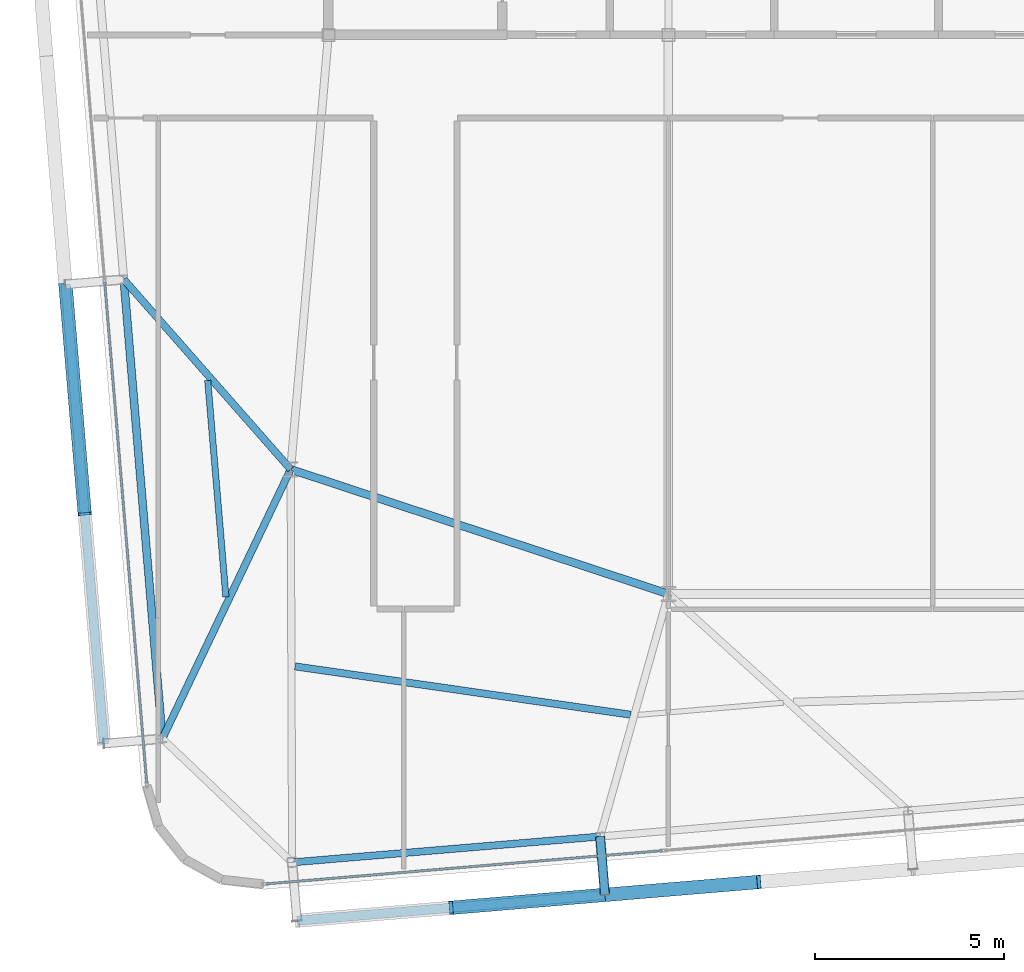
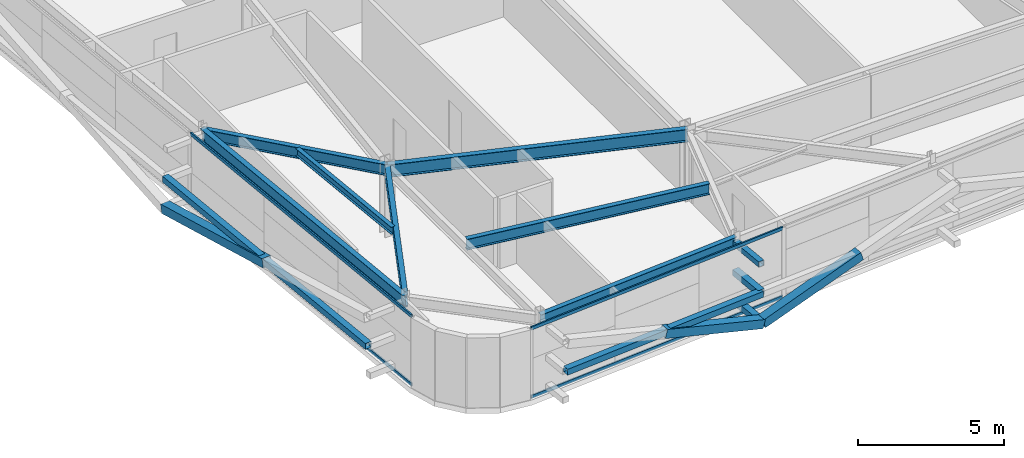
# One storey, part 8 of 39: 12 members, 7 beams, 2 elements without a shape of their own.
"""IFC4 building model written with IfcOpenShell, lengths in metres."""

from ifc_helpers import new_model, si_unit, direction, frame, origin, origin_2d, place, context, subcontext, project, spatial, hollow_rectangle, i_section, extrude, source, transform, mapped, material, layer, layer_set, material_profile, profile_set, type_object, element, aggregate, save


model = new_model("IFC4")

# Units and contexts
model_context = context("Model", 3, precision=1e-05, world=origin(), true_north=direction((0.0, 1.0)))
body_context = subcontext(model_context, "Body", "Model", "MODEL_VIEW")
ifc_project = project(units=[si_unit("LENGTHUNIT", "METRE"), si_unit("AREAUNIT", "SQUARE_METRE"), si_unit("VOLUMEUNIT", "CUBIC_METRE"), si_unit("PLANEANGLEUNIT", "RADIAN"), si_unit("MASSUNIT", "GRAM", prefix="KILO")], contexts=[model_context])

# Site, building, storey
site_placement = place(None, origin())
site = spatial("IfcSite", under=ifc_project, at=site_placement, CompositionType="ELEMENT")
building_placement = place(site_placement, origin())
building = spatial("IfcBuilding", under=site, at=building_placement, Name="Taldren Reach Tower", CompositionType="ELEMENT")
storey_placement = place(building_placement, frame((0.0, 0.0, 175.699951171875)))
storey = spatial("IfcBuildingStorey", under=building, at=storey_placement, Name="L53", CompositionType="ELEMENT", Elevation=175.699951171875)

# Beam
ifc_material_1 = material(Name="Steel Gr 350 (350PLUS)", Category="steel")
ifc_material_profile_1 = material_profile(ifc_material_1, i_section(OverallWidth=0.208984375, OverallDepth=0.532958984375, WebThickness=0.01025390625, FlangeThickness=0.015625, at=origin_2d()), Name="530UB92.4")
ifc_profile_set_1 = profile_set([ifc_material_profile_1], Name="Steel Gr 350 (350PLUS)")
beam_type_1 = type_object("IfcBeamType", Name="BM-UB530A", PredefinedType="BEAM", material=ifc_profile_set_1)
shared_shape_1 = source(origin(), body_context, "Body", "SweptSolid", [
    extrude(i_section(OverallWidth=0.208984375, OverallDepth=0.532958984375, WebThickness=0.01025390625, FlangeThickness=0.015625, at=origin_2d()), origin(), (0.0, 0.0, 1.0), 10.530517578125),
])
beam_1_placement = place(storey_placement, frame((18.0, 12.5, 2.66357421875), z_axis=(0.949627269203, -0.313381635689, 0.0), x_axis=(0.313381635689, 0.949627269203, 0.0)))
element("IfcBeam", 1, at=beam_1_placement, inside=storey, type_object=beam_type_1, Name="Core-spine girder L53-SP10", PredefinedType="BEAM", context=body_context, shape_type="MappedRepresentation", body=[
    mapped(shared_shape_1, transform((0.0, 0.0, 0.0), scale=1.0)),
])

# Members
ifc_material_2 = material(Name="Steel Gr 350 (C350L0)", Category="steel")
ifc_material_profile_2 = material_profile(ifc_material_2, hollow_rectangle(XDim=0.25, YDim=0.25, WallThickness=0.010009765625, at=origin_2d()), Name="250x250x10.0SHS")
ifc_profile_set_2 = profile_set([ifc_material_profile_2], Name="Steel Gr 350 (C350L0)")
member_type_1 = type_object("IfcMemberType", Name="MB-POST250", PredefinedType="POST", material=ifc_profile_set_2)
shared_shape_2 = source(origin(), body_context, "Body", "SweptSolid", [
    extrude(hollow_rectangle(XDim=0.25, YDim=0.25, WallThickness=0.010009765625, at=origin_2d()), origin(), (0.0, 0.0, 1.0), 1.550048828125),
])
for number, where, z_axis, x_axis, name in (
    (2, (26.19091796875, 2.778564453125, 0.219970703125), (0.083632013783, -0.996496706603, 0.0), (0.996496706603, 0.083632013783, 0.0), "Exoskeleton base diaphragm tie strut B4-S2 L53"),
    (3, (26.19091796875, 2.778564453125, 1.43505859375), (0.083632013783, -0.996496706603, 0.0), (0.996496706603, 0.083632013783, 0.0), "Exoskeleton mid-tier diaphragm tie B4-S2 L53"),
):
    element("IfcMember", number, at=place(storey_placement, frame(where, z_axis=z_axis, x_axis=x_axis)), inside=storey, type_object=member_type_1, Name=name, PredefinedType="POST", context=body_context, shape_type="MappedRepresentation", body=[
        mapped(shared_shape_2, transform((0.0, 0.0, 0.0), scale=1.0)),
    ])

# Beams
ifc_material_profile_3 = material_profile(ifc_material_1, i_section(OverallWidth=0.18994140625, OverallDepth=0.4541015625, WebThickness=0.008544921875, FlangeThickness=0.0126953125, at=origin_2d()), Name="460UB67.1")
ifc_profile_set_3 = profile_set([ifc_material_profile_3], Name="Steel Gr 350 (350PLUS)")
beam_type_2 = type_object("IfcBeamType", Name="SP-UB460B", PredefinedType="SPANDREL", material=ifc_profile_set_3)
shared_shape_3 = source(origin(), body_context, "Body", "SweptSolid", [
    extrude(i_section(OverallWidth=0.18994140625, OverallDepth=0.4541015625, WebThickness=0.008544921875, FlangeThickness=0.0126953125, at=origin_2d()), origin(), (0.0, 0.0, 1.0), 8.18017578125),
])
beam_2_placement = place(storey_placement, frame((18.03955078125, 2.093994140625, 2.703125), z_axis=(0.996492034688, 0.083687662192, 0.0), x_axis=(-0.083687662192, 0.996492034688, 0.0)))
element("IfcBeam", 4, at=beam_2_placement, inside=storey, type_object=beam_type_2, Name="Perimeter spandrel B4 S1-S2 L53", PredefinedType="SPANDREL", context=body_context, shape_type="MappedRepresentation", body=[
    mapped(shared_shape_3, transform((0.0, 0.0, 0.0), scale=1.0)),
])
ifc_material_profile_4 = material_profile(ifc_material_1, i_section(OverallWidth=0.208984375, OverallDepth=0.528076171875, WebThickness=0.009521484375, FlangeThickness=0.01318359375, at=origin_2d()), Name="530UB82.0")
ifc_profile_set_4 = profile_set([ifc_material_profile_4], Name="Steel Gr 350 (350PLUS)")
beam_type_3 = type_object("IfcBeamType", Name="SP-UB530B", PredefinedType="SPANDREL", material=ifc_profile_set_4)
shared_shape_4 = source(origin(), body_context, "Body", "SweptSolid", [
    extrude(i_section(OverallWidth=0.208984375, OverallDepth=0.528076171875, WebThickness=0.009521484375, FlangeThickness=0.01318359375, at=origin_2d()), origin(), (0.0, 0.0, 1.0), 12.199951171875),
])
beam_3_placement = place(storey_placement, frame((13.582763671875, 17.525146484375, 2.666015625), z_axis=(0.083688038336, -0.996492003099, 0.0), x_axis=(0.996492003099, 0.083688038336, 0.0)))
element("IfcBeam", 5, at=beam_3_placement, inside=storey, type_object=beam_type_3, Name="Perimeter spandrel B4 W2-W1 L53", PredefinedType="SPANDREL", context=body_context, shape_type="MappedRepresentation", body=[
    mapped(shared_shape_4, transform((0.0, 0.0, 0.0), scale=1.0)),
])
ifc_material_profile_5 = material_profile(ifc_material_1, i_section(OverallWidth=0.19091796875, OverallDepth=0.4599609375, WebThickness=0.010009765625, FlangeThickness=0.01611328125, at=origin_2d()), Name="460UB82.1")
ifc_profile_set_5 = profile_set([ifc_material_profile_5], Name="Steel Gr 350 (350PLUS)")
beam_type_4 = type_object("IfcBeamType", Name="BM-UB460A", PredefinedType="BEAM", material=ifc_profile_set_5)
shared_shape_5 = source(origin(), body_context, "Body", "SweptSolid", [
    extrude(i_section(OverallWidth=0.19091796875, OverallDepth=0.4599609375, WebThickness=0.010009765625, FlangeThickness=0.01611328125, at=origin_2d()), origin(), (0.0, 0.0, 1.0), 6.690673828125),
])
beam_4_placement = place(storey_placement, frame((18.0, 12.5, 2.699951171875), z_axis=(-0.660215677485, 0.751076067521, 0.0), x_axis=(-0.751076067521, -0.660215677485, 0.0)))
element("IfcBeam", 6, at=beam_4_placement, inside=storey, type_object=beam_type_4, Name="Primary floor girder B4-W2 L53", PredefinedType="BEAM", context=body_context, shape_type="MappedRepresentation", body=[
    mapped(shared_shape_5, transform((0.0, 0.0, 0.0), scale=1.0)),
])
shared_shape_6 = source(origin(), body_context, "Body", "SweptSolid", [
    extrude(i_section(OverallWidth=0.19091796875, OverallDepth=0.4599609375, WebThickness=0.010009765625, FlangeThickness=0.01611328125, at=origin_2d()), origin(), (0.0, 0.0, 1.0), 7.8994140625),
])
beam_5_placement = place(storey_placement, frame((18.0, 12.5, 2.699951171875), z_axis=(-0.429934780074, -0.902859947546, 0.0), x_axis=(0.902859947546, -0.429934780074, 0.0)))
element("IfcBeam", 7, at=beam_5_placement, inside=storey, type_object=beam_type_4, Name="Primary floor girder B4-W1 L53", PredefinedType="BEAM", context=body_context, shape_type="MappedRepresentation", body=[
    mapped(shared_shape_6, transform((0.0, 0.0, 0.0), scale=1.0)),
])
shared_shape_7 = source(origin(), body_context, "Body", "SweptSolid", [
    extrude(i_section(OverallWidth=0.19091796875, OverallDepth=0.4599609375, WebThickness=0.010009765625, FlangeThickness=0.01611328125, at=origin_2d()), origin(), (0.0, 0.0, 1.0), 8.9765625),
])
beam_6_placement = place(storey_placement, frame((18.115478515625, 7.283203125, 2.699951171875), z_axis=(0.989776873291, -0.142624475806, 0.0), x_axis=(0.142624475806, 0.989776873291, 0.0)))
element("IfcBeam", 8, at=beam_6_placement, inside=storey, type_object=beam_type_4, Name="Secondary floor beam B4 J1 L53", PredefinedType="BEAM", context=body_context, shape_type="MappedRepresentation", body=[
    mapped(shared_shape_7, transform((0.0, 0.0, 0.0), scale=1.0)),
])
ifc_material_3 = material(Name="Steel Gr 300 (300PLUS, 300 MPa)", Category="steel")
ifc_material_profile_6 = material_profile(ifc_material_3, i_section(OverallWidth=0.166015625, OverallDepth=0.306884765625, WebThickness=0.006591796875, FlangeThickness=0.01171875, at=origin_2d()), Name="310UB46.2")
ifc_profile_set_6 = profile_set([ifc_material_profile_6], Name="Steel Gr 300 (300PLUS, 300 MPa)")
beam_type_5 = type_object("IfcBeamType", Name="JS-UB310", PredefinedType="JOIST", material=ifc_profile_set_6)
shared_shape_8 = source(origin(), body_context, "Body", "SweptSolid", [
    extrude(i_section(OverallWidth=0.166015625, OverallDepth=0.306884765625, WebThickness=0.006591796875, FlangeThickness=0.01171875, at=origin_2d()), origin(), (0.0, 0.0, 1.0), 5.750244140625),
])
beam_7_placement = place(storey_placement, frame((16.285888671875, 9.122802734375, 2.776611328125), z_axis=(-0.083642808993, 0.996495800545, 0.0), x_axis=(-0.996495800545, -0.083642808993, 0.0)))
element("IfcBeam", 9, at=beam_7_placement, inside=storey, type_object=beam_type_5, Name="Secondary floor joist B4 J6 L53", PredefinedType="JOIST", context=body_context, shape_type="MappedRepresentation", body=[
    mapped(shared_shape_8, transform((0.0, 0.0, 0.0), scale=1.0)),
])

# Members
ifc_material_4 = material(Name="Steel Gr 450 (C450L0)", Category="steel")
ifc_material_profile_7 = material_profile(ifc_material_4, hollow_rectangle(XDim=0.219970703125, YDim=0.219970703125, WallThickness=0.00830078125, at=origin_2d()), Name="220x220x8.2SHS")
ifc_profile_set_7 = profile_set([ifc_material_profile_7], Name="Steel Gr 450 (C450L0)")
member_type_2 = type_object("IfcMemberType", Name="MB-TIE219", PredefinedType="STRUT", material=ifc_profile_set_7)
shared_shape_9 = source(origin(), body_context, "Body", "SweptSolid", [
    extrude(hollow_rectangle(XDim=0.219970703125, YDim=0.219970703125, WallThickness=0.00830078125, at=origin_2d()), origin(), (0.0, 0.0, 1.0), 1.550048828125),
])
member_1_placement = place(storey_placement, frame((26.19091796875, 2.778564453125, 2.650146484375), z_axis=(0.083632013783, -0.996496706603, 0.0), x_axis=(0.996496706603, 0.083632013783, 0.0)))
element("IfcMember", 10, at=member_1_placement, inside=storey, type_object=member_type_2, Name="Exoskeleton diaphragm tie strut B4-S2 L53", PredefinedType="STRUT", context=body_context, shape_type="MappedRepresentation", body=[
    mapped(shared_shape_9, transform((0.0, 0.0, 0.0), scale=1.0)),
])
shared_shape_10 = source(origin(), body_context, "Body", "SweptSolid", [
    extrude(hollow_rectangle(XDim=0.25, YDim=0.25, WallThickness=0.010009765625, at=origin_2d()), origin(), (0.0, 0.0, 1.0), 8.1796875),
])
member_2_placement = place(storey_placement, frame((18.16943359375, 0.549560546875, 1.43505859375), z_axis=(0.996494314327, 0.083660513465, 0.0), x_axis=(-0.083660513465, 0.996494314327, 0.0)))
element("IfcMember", 11, at=member_2_placement, inside=storey, type_object=member_type_1, Name="Exoskeleton mid-height ring chord B4-S1 L53", PredefinedType="POST", context=body_context, shape_type="MappedRepresentation", body=[
    mapped(shared_shape_10, transform((0.0, 0.0, 0.0), scale=1.0)),
])
shared_shape_11 = source(origin(), body_context, "Body", "SweptSolid", [
    extrude(hollow_rectangle(XDim=0.25, YDim=0.25, WallThickness=0.010009765625, at=origin_2d()), origin(), (0.0, 0.0, 1.0), 12.199951171875),
])
member_3_placement = place(storey_placement, frame((13.05908203125, 5.23828125, 1.43505859375), z_axis=(-0.083688038336, 0.996492003099, 0.0), x_axis=(-0.996492003099, -0.083688038336, 0.0)))
element("IfcMember", 12, at=member_3_placement, inside=storey, type_object=member_type_1, Name="Exoskeleton mid-height ring chord B4-W1 L53", PredefinedType="POST", context=body_context, shape_type="MappedRepresentation", body=[
    mapped(shared_shape_11, transform((0.0, 0.0, 0.0), scale=1.0)),
])
ifc_material_profile_8 = material_profile(ifc_material_4, hollow_rectangle(XDim=0.360107421875, YDim=0.360107421875, WallThickness=0.0126953125, at=origin_2d()), Name="360x360x12.7SHS")
ifc_profile_set_8 = profile_set([ifc_material_profile_8], Name="Steel Gr 450 (C450L0)")
member_type_3 = type_object("IfcMemberType", Name="MB-EXO356", PredefinedType="BRACE", material=ifc_profile_set_8)
shared_shape_12 = source(origin(), body_context, "Body", "SweptSolid", [
    extrude(hollow_rectangle(XDim=0.360107421875, YDim=0.360107421875, WallThickness=0.0126953125, at=origin_2d()), origin(), (0.0, 0.0, 1.0), 4.2666015625),
])
member_4_placement = place(storey_placement, frame((26.320556640625, 1.23388671875, 0.219970703125), z_axis=(0.955229159097, 0.080222312271, 0.284783486572), x_axis=(-0.083687662192, 0.996492034688, 0.0)))
element("IfcMember", 13, at=member_4_placement, inside=storey, type_object=member_type_3, Name="Exoskeleton Diagrid Brace B4-S2 L53", PredefinedType="BRACE", context=body_context, shape_type="MappedRepresentation", body=[
    mapped(shared_shape_12, transform((0.0, 0.0, 0.0), scale=1.0)),
])
shared_shape_13 = source(origin(), body_context, "Body", "SweptSolid", [
    extrude(hollow_rectangle(XDim=0.360107421875, YDim=0.360107421875, WallThickness=0.0126953125, at=origin_2d()), origin(), (0.0, 0.0, 1.0), 4.266357421875),
])
member_5_placement = place(storey_placement, frame((26.320556640625, 1.23388671875, 0.219970703125), z_axis=(-0.955224149813, -0.080226697301, 0.284799053113), x_axis=(0.083692640416, -0.996491616593, 0.0)))
element("IfcMember", 14, at=member_5_placement, inside=storey, type_object=member_type_3, Name="Exoskeleton Diagrid Brace B4-S1 L53", PredefinedType="BRACE", context=body_context, shape_type="MappedRepresentation", body=[
    mapped(shared_shape_13, transform((0.0, 0.0, 0.0), scale=1.0)),
])
shared_shape_14 = source(origin(), body_context, "Body", "SweptSolid", [
    extrude(hollow_rectangle(XDim=0.360107421875, YDim=0.360107421875, WallThickness=0.0126953125, at=origin_2d()), origin(), (0.0, 0.0, 1.0), 6.219970703125),
])
member_6_placement = place(storey_placement, frame((12.0380859375, 17.3955078125, 0.219970703125), z_axis=(0.082075564879, -0.977291924611, 0.195356330179), x_axis=(0.996492003099, 0.083688038336, 0.0)))
element("IfcMember", 15, at=member_6_placement, inside=storey, type_object=member_type_3, Name="Exoskeleton Diagrid Brace B4-W1 L53", PredefinedType="BRACE", context=body_context, shape_type="MappedRepresentation", body=[
    mapped(shared_shape_14, transform((0.0, 0.0, 0.0), scale=1.0)),
])

# Curtain wall, members
ifc_material_5 = material(Name="Aluminium and Low-E Glass Unitised System", Category="aluminium")
ifc_layer = layer(ifc_material_5, 0.159912109375)
ifc_layer_set = layer_set([ifc_layer], Name="Aluminium and Low-E Glass Unitised System")
curtain_wall_type = type_object("IfcCurtainWallType", Name="CW-SYS-5", PredefinedType="NOTDEFINED", material=ifc_layer_set)
curtain_wall_1_placement = place(storey_placement, origin())
curtain_wall_1 = element("IfcCurtainWall", 16, at=curtain_wall_1_placement, inside=storey, type_object=curtain_wall_type, Name="Unitised curtain wall CW-L53-S", PredefinedType="NOTDEFINED")
ifc_material_6 = material(Name="Anodised Aluminium 6063-T6", Category="aluminium")
ifc_material_profile_9 = material_profile(ifc_material_6, hollow_rectangle(XDim=0.06005859375, YDim=0.135009765625, WallThickness=0.00341796875, at=origin_2d()), Name="ALU-135x60x3.5RHS")
ifc_profile_set_9 = profile_set([ifc_material_profile_9], Name="Anodised Aluminium 6063-T6")
member_type_4 = type_object("IfcMemberType", Name="CW-TRN-150", PredefinedType="USERDEFINED", material=ifc_profile_set_9)
shared_shape_15 = source(origin(), body_context, "Body", "SweptSolid", [
    extrude(hollow_rectangle(XDim=0.06005859375, YDim=0.135009765625, WallThickness=0.00341796875, at=origin_2d()), origin(), (0.0, 0.0, 1.0), 10.519775390625),
])
member_7_placement = place(storey_placement, frame((17.35498046875, 1.524658203125, 0.030029296875), z_axis=(0.996492094046, 0.083686955404, 0.0), x_axis=(-0.083686955404, 0.996492094046, 0.0)))
member_7 = element("IfcMember", 17, at=member_7_placement, type_object=member_type_4, Name="CW-5 transom 1.1", ObjectType="TRANSOM", PredefinedType="USERDEFINED", context=body_context, shape_type="MappedRepresentation", body=[
    mapped(shared_shape_15, transform((0.0, 0.0, 0.0), scale=1.0)),
])
member_8_placement = place(storey_placement, frame((17.35498046875, 1.524658203125, 2.900146484375), z_axis=(0.996492094046, 0.083686955404, 0.0), x_axis=(-0.083686955404, 0.996492094046, 0.0)))
member_8 = element("IfcMember", 18, at=member_8_placement, type_object=member_type_4, Name="CW-5 transom 1.2", ObjectType="TRANSOM", PredefinedType="USERDEFINED", context=body_context, shape_type="MappedRepresentation", body=[
    mapped(shared_shape_15, transform((0.0, 0.0, 0.0), scale=1.0)),
])
aggregate(curtain_wall_1, [member_7, member_8])

curtain_wall_2_placement = place(storey_placement, origin())
curtain_wall_2 = element("IfcCurtainWall", 19, at=curtain_wall_2_placement, inside=storey, type_object=curtain_wall_type, Name="Unitised curtain wall CW-L53-W", PredefinedType="NOTDEFINED")
shared_shape_16 = source(origin(), body_context, "Body", "SweptSolid", [
    extrude(hollow_rectangle(XDim=0.06005859375, YDim=0.135009765625, WallThickness=0.00341796875, at=origin_2d()), origin(), (0.0, 0.0, 1.0), 13.295166015625),
])
member_9_placement = place(storey_placement, frame((13.077392578125, 17.44775390625, 0.030029296875), z_axis=(0.083680700004, -0.996492619364, 0.0), x_axis=(0.996492619364, 0.083680700004, 0.0)))
member_9 = element("IfcMember", 20, at=member_9_placement, type_object=member_type_4, Name="CW-5 transom 2.1", ObjectType="TRANSOM", PredefinedType="USERDEFINED", context=body_context, shape_type="MappedRepresentation", body=[
    mapped(shared_shape_16, transform((0.0, 0.0, 0.0), scale=1.0)),
])
member_10_placement = place(storey_placement, frame((13.077392578125, 17.44775390625, 2.900146484375), z_axis=(0.083680700004, -0.996492619364, 0.0), x_axis=(0.996492619364, 0.083680700004, 0.0)))
member_10 = element("IfcMember", 21, at=member_10_placement, type_object=member_type_4, Name="CW-5 transom 2.2", ObjectType="TRANSOM", PredefinedType="USERDEFINED", context=body_context, shape_type="MappedRepresentation", body=[
    mapped(shared_shape_16, transform((0.0, 0.0, 0.0), scale=1.0)),
])
aggregate(curtain_wall_2, [member_9, member_10])

save(model, "model.ifc")
